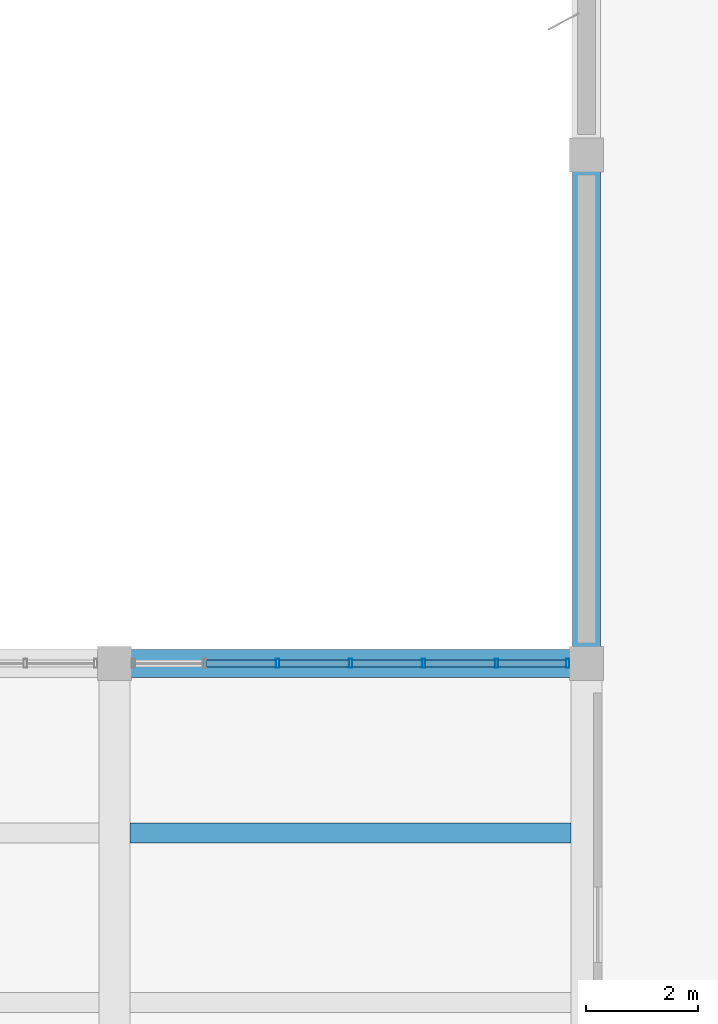
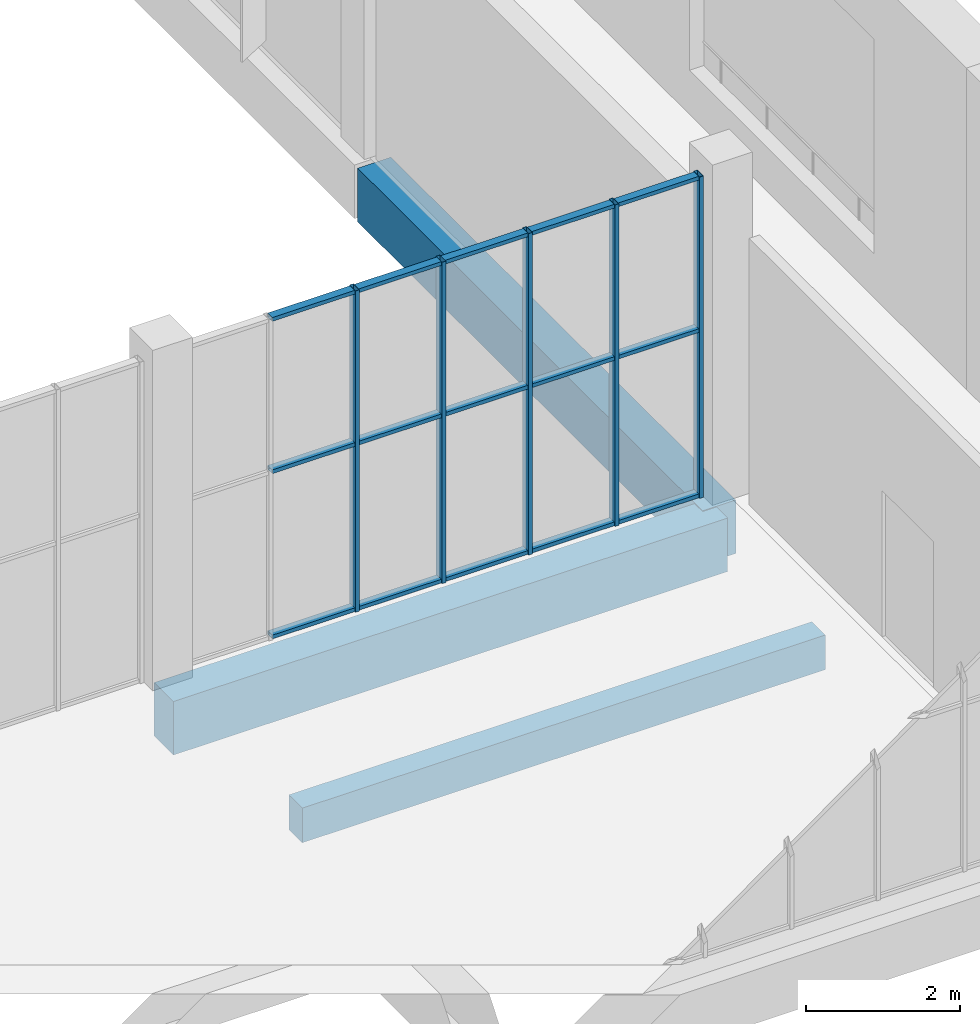
# One storey, part 42 of 132: 20 members, 3 beams, 1 element without a shape of its own.
"""IFC4 building model written with IfcOpenShell, lengths in metres."""

import ifcopenshell
import ifcopenshell.guid

model = None  # the IFC model being written
_history = None  # IfcOwnerHistory: only IFC2X3 demands one
_inside = {}  # id of a spatial element -> (the spatial element, [elements in it])
_under = {}  # id of a project, library or spatial element -> (it, [spatial elements below it])
_declared = {}  # id of a project -> (the project, [libraries it declares])
_typed = {}  # id of a type object -> (the type object, [elements of that type])
_made_of = {}  # id of a material, layer set ... -> (it, [elements and type objects made of it])


def new_model(schema):
    """Start an empty IFC model of exactly this schema.

    Asked for "IFC4X3", IfcOpenShell would pick the latest addendum, in which some entities
    have other attributes; the version numbers below select the first issue.
    IFC2X3 requires an IfcOwnerHistory on every rooted entity: one is made here for all.
    """
    global model, _history
    if schema == "IFC4X3":
        model = ifcopenshell.file(schema_version=(4, 3, 0, 0))
    else:
        model = ifcopenshell.file(schema=schema)
    _inside.clear()
    _under.clear()
    _declared.clear()
    _typed.clear()
    _made_of.clear()
    _history = None
    if model.schema == "IFC2X3":
        org = make("IfcOrganization", Name="unknown")
        user = make(
            "IfcPersonAndOrganization",
            ThePerson=make("IfcPerson", FamilyName="unknown"),
            TheOrganization=org,
        )
        app = make(
            "IfcApplication",
            ApplicationDeveloper=org,
            Version="unknown",
            ApplicationFullName="unknown",
            ApplicationIdentifier="unknown",
        )
        _history = make(
            "IfcOwnerHistory",
            OwningUser=user,
            OwningApplication=app,
            ChangeAction="ADDED",
            CreationDate=0,
        )
    return model


def make(cls, **values):
    """One entity of the class cls with the attributes given. An attribute that is None is left unset."""
    return model.create_entity(
        cls, **{name: value for name, value in values.items() if value is not None}
    )


def rooted(cls, **values):
    """An entity with a GlobalId (a new one), such as an element, a storey or a relation."""
    return make(cls, GlobalId=ifcopenshell.guid.new(), OwnerHistory=_history, **values)


def si_unit(unit_type, name, prefix=None):
    """IfcSIUnit, for example si_unit("LENGTHUNIT", "METRE", prefix="MILLI")."""
    return make("IfcSIUnit", UnitType=unit_type, Prefix=prefix, Name=name)


def assignment(units):
    """IfcUnitAssignment: the units of a project."""
    return None if units is None else make("IfcUnitAssignment", Units=units)


def point(xyz):
    """IfcCartesianPoint."""
    return None if xyz is None else make("IfcCartesianPoint", Coordinates=xyz)


def direction(xyz):
    """IfcDirection."""
    return None if xyz is None else make("IfcDirection", DirectionRatios=xyz)


def frame(location, z_axis=None, x_axis=None):
    """IfcAxis2Placement3D, a coordinate frame: its origin and axes. An axis left out is left unset."""
    return make(
        "IfcAxis2Placement3D",
        Location=point(location),
        Axis=direction(z_axis),
        RefDirection=direction(x_axis),
    )


def frame_2d(location, x_axis=None):
    """IfcAxis2Placement2D, a coordinate frame in the plane: its origin and x axis."""
    return make(
        "IfcAxis2Placement2D", Location=point(location), RefDirection=direction(x_axis)
    )


def origin():
    """The frame at (0, 0, 0) with its axes left unset."""
    return frame((0.0, 0.0, 0.0))


def origin_2d():
    """The frame at (0, 0) in the plane with its x axis left unset."""
    return frame_2d((0.0, 0.0))


def place(relative_to, where):
    """IfcLocalPlacement: puts the frame where relative to a parent placement (None: the world)."""
    return make(
        "IfcLocalPlacement", PlacementRelTo=relative_to, RelativePlacement=where
    )


def context(
    kind, dimensions, precision=None, world=None, true_north=None, identifier=None
):
    """IfcGeometricRepresentationContext, for example the 3D "Model" context."""
    return make(
        "IfcGeometricRepresentationContext",
        ContextIdentifier=identifier,
        ContextType=kind,
        CoordinateSpaceDimension=dimensions,
        Precision=precision,
        WorldCoordinateSystem=world,
        TrueNorth=true_north,
    )


def subcontext(parent, identifier, kind, view, scale=None):
    """IfcGeometricRepresentationSubContext, for example "Body" below "Model"."""
    return make(
        "IfcGeometricRepresentationSubContext",
        ContextIdentifier=identifier,
        ContextType=kind,
        ParentContext=parent,
        TargetScale=scale,
        TargetView=view,
    )


def project(units=None, contexts=None):
    """IfcProject with its units and contexts."""
    return rooted(
        "IfcProject",
        Name="project",
        RepresentationContexts=contexts,
        UnitsInContext=assignment(units),
    )


def spatial(cls, under=None, at=None, **own):
    """A site, building, storey or space (cls), placed at a placement, below another one or the project."""
    s = rooted(cls, ObjectPlacement=at, **own)
    if under is not None:
        _under.setdefault(under.id(), (under, []))[1].append(s)
    return s


def profile(cls, at=None, kind="AREA", **sizes):
    """A parametric profile (cls). Its sizes go by their IFC names, for example OverallWidth=200.0."""
    return make(cls, ProfileType=kind, Position=at, **sizes)


def rectangle(**sizes):
    """IfcRectangleProfileDef."""
    return profile("IfcRectangleProfileDef", **sizes)


def hollow_rectangle(**sizes):
    """IfcRectangleHollowProfileDef."""
    return profile("IfcRectangleHollowProfileDef", **sizes)


def extrude(swept, where, along, depth):
    """IfcExtrudedAreaSolid: the profile swept, set in the frame where, extruded along a direction by depth."""
    return make(
        "IfcExtrudedAreaSolid",
        SweptArea=swept,
        Position=where,
        ExtrudedDirection=direction(along),
        Depth=depth,
    )


def shape(context_of_items, identifier, shape_type, items):
    """IfcShapeRepresentation: the items that make up one representation, for example the "Body"."""
    return make(
        "IfcShapeRepresentation",
        ContextOfItems=context_of_items,
        RepresentationIdentifier=identifier,
        RepresentationType=shape_type,
        Items=items,
    )


def material(Name=None, Category=None):
    """IfcMaterial."""
    return make("IfcMaterial", Name=Name, Category=Category)


def material_profile(
    of_material, cross_section, Name=None, Category=None, Priority=None
):
    """IfcMaterialProfile: a cross section and its material."""
    return make(
        "IfcMaterialProfile",
        Name=Name,
        Material=of_material,
        Profile=cross_section,
        Priority=Priority,
        Category=Category,
    )


def profile_set(profiles, Name=None, composite=None):
    """IfcMaterialProfileSet."""
    return make(
        "IfcMaterialProfileSet",
        Name=Name,
        MaterialProfiles=profiles,
        CompositeProfile=composite,
    )


def made_of(thing, what):
    """Note that an element or type object is made of a material, layer set ...; save() writes the relation."""
    if what is not None:
        _made_of.setdefault(what.id(), (what, []))[1].append(thing)
    return thing


def type_object(cls, material=None, **own):
    """A type object (cls), such as IfcWallType, which elements share."""
    return made_of(rooted(cls, **own), material)


def element(
    cls,
    number,
    at=None,
    inside=None,
    cuts=None,
    type_object=None,
    material=None,
    context=None,
    identifier="Body",
    shape_type=None,
    held_by="IfcProductDefinitionShape",
    body=None,
    shapes=None,
    **own,
):
    """One element of the class cls, such as IfcWall. Its Tag is "e" and its number.

    at: its placement. inside: the storey or other place that contains it. cuts: it is an
    opening in that element (IfcRelVoidsElement). A single representation is given by context,
    identifier, shape_type and body (its items); several are given by shapes. held_by: the class
    of the entity that holds the representations. save() writes the other relations.
    """
    e = rooted(cls, Tag="e%d" % number, ObjectPlacement=at, **own)
    if body is not None:
        shapes = [shape(context, identifier, shape_type, body)]
    if shapes is not None:
        e.Representation = make(held_by, Representations=shapes)
    if inside is not None:
        _inside.setdefault(inside.id(), (inside, []))[1].append(e)
    if cuts is not None:
        rooted(
            "IfcRelVoidsElement", RelatingBuildingElement=cuts, RelatedOpeningElement=e
        )
    if type_object is not None:
        _typed.setdefault(type_object.id(), (type_object, []))[1].append(e)
    return made_of(e, material)


def aggregate(whole, parts):
    """IfcRelAggregates: a whole, such as a stair, and the parts it consists of."""
    return rooted("IfcRelAggregates", RelatingObject=whole, RelatedObjects=parts)


def save(model, path):
    """Write the relations noted so far, then the file.

    IfcRelAggregates (storeys below a building ...), IfcRelContainedInSpatialStructure (elements
    in a storey), IfcRelDefinesByType, IfcRelAssociatesMaterial and IfcRelDeclares: one each for
    every whole, place, type object, material and project.
    """
    for whole, parts in _under.values():
        aggregate(whole, parts)
    for where, things in _inside.values():
        rooted(
            "IfcRelContainedInSpatialStructure",
            RelatedElements=things,
            RelatingStructure=where,
        )
    for kind, things in _typed.values():
        rooted("IfcRelDefinesByType", RelatedObjects=things, RelatingType=kind)
    for what, things in _made_of.values():
        rooted("IfcRelAssociatesMaterial", RelatedObjects=things, RelatingMaterial=what)
    for by, libraries in _declared.values():
        rooted("IfcRelDeclares", RelatingContext=by, RelatedDefinitions=libraries)
    model.write(path)


model = new_model("IFC4")

# Units and contexts
model_context = context("Model", 3, precision=1e-05, world=origin(), true_north=direction((0.0, 1.0)))
body_context = subcontext(model_context, "Body", "Model", "MODEL_VIEW")
ifc_project = project(units=[si_unit("LENGTHUNIT", "METRE"), si_unit("AREAUNIT", "SQUARE_METRE"), si_unit("VOLUMEUNIT", "CUBIC_METRE"), si_unit("PLANEANGLEUNIT", "RADIAN"), si_unit("MASSUNIT", "GRAM", prefix="KILO")], contexts=[model_context])

# Site, building, storey
site_placement = place(None, origin())
site = spatial("IfcSite", under=ifc_project, at=site_placement, CompositionType="ELEMENT")
building_placement = place(site_placement, origin())
building = spatial("IfcBuilding", under=site, at=building_placement, Name="Khurvash Pelagic Aquarium", CompositionType="ELEMENT")
storey_placement = place(building_placement, frame((0.0, 0.0, 5.39990234375)))
storey = spatial("IfcBuildingStorey", under=building, at=storey_placement, Name="L01", CompositionType="ELEMENT", Elevation=5.39990234375)

# Curtain wall, members
ifc_material_1 = material(Name="Anodised aluminium and low-E laminated glass", Category="aluminium")
curtain_wall_type = type_object("IfcCurtainWallType", Name="CW-05", PredefinedType="USERDEFINED", material=ifc_material_1)
curtain_wall_placement = place(storey_placement, origin())
curtain_wall = element("IfcCurtainWall", 1, at=curtain_wall_placement, inside=storey, type_object=curtain_wall_type, Name="L01 Facade Unitised Curtain Wall CW-05 0144", ObjectType="UNITISED CURTAIN WALL", PredefinedType="USERDEFINED")
ifc_material_2 = material(Name="Extruded aluminium AW-6063-T6", Category="aluminium")
ifc_material_profile_1 = material_profile(ifc_material_2, hollow_rectangle(XDim=0.06005859375, YDim=0.159912109375, WallThickness=0.00390625, at=origin_2d()), Name="CWM60X160X4")
ifc_profile_set_1 = profile_set([ifc_material_profile_1], Name="Extruded aluminium AW-6063-T6")
member_type_1 = type_object("IfcMemberType", Name="CM-02", PredefinedType="MULLION", material=ifc_profile_set_1)
member_1_placement = place(storey_placement, frame((125.6650390625, 29.75, 0.0), z_axis=(0.0, 0.0, 1.0), x_axis=(-1.0, 0.0, 0.0)))
member_1 = element("IfcMember", 2, at=member_1_placement, type_object=member_type_1, Name="CW-05 mullion 1", PredefinedType="MULLION", context=body_context, shape_type="SweptSolid", body=[
    extrude(hollow_rectangle(XDim=0.06005859375, YDim=0.159912109375, WallThickness=0.00390625, at=origin_2d()), origin(), (0.0, 0.0, 1.0), 5.10009765625),
])
member_2_placement = place(storey_placement, frame((124.396728515625, 29.75, 0.0), z_axis=(0.0, 0.0, 1.0), x_axis=(-1.0, 0.0, 0.0)))
member_2 = element("IfcMember", 3, at=member_2_placement, type_object=member_type_1, Name="CW-05 mullion 2", PredefinedType="MULLION", context=body_context, shape_type="SweptSolid", body=[
    extrude(hollow_rectangle(XDim=0.06005859375, YDim=0.159912109375, WallThickness=0.00390625, at=origin_2d()), origin(), (0.0, 0.0, 1.0), 5.10009765625),
])
member_3_placement = place(storey_placement, frame((123.098388671875, 29.75, 0.0), z_axis=(0.0, 0.0, 1.0), x_axis=(-1.0, 0.0, 0.0)))
member_3 = element("IfcMember", 4, at=member_3_placement, type_object=member_type_1, Name="CW-05 mullion 3", PredefinedType="MULLION", context=body_context, shape_type="SweptSolid", body=[
    extrude(hollow_rectangle(XDim=0.06005859375, YDim=0.159912109375, WallThickness=0.00390625, at=origin_2d()), origin(), (0.0, 0.0, 1.0), 5.10009765625),
])
member_4_placement = place(storey_placement, frame((121.800048828125, 29.75, 0.0), z_axis=(0.0, 0.0, 1.0), x_axis=(-1.0, 0.0, 0.0)))
member_4 = element("IfcMember", 5, at=member_4_placement, type_object=member_type_1, Name="CW-05 mullion 4", PredefinedType="MULLION", context=body_context, shape_type="SweptSolid", body=[
    extrude(hollow_rectangle(XDim=0.06005859375, YDim=0.159912109375, WallThickness=0.00390625, at=origin_2d()), origin(), (0.0, 0.0, 1.0), 5.10009765625),
])
member_5_placement = place(storey_placement, frame((120.501708984375, 29.75, 0.0), z_axis=(0.0, 0.0, 1.0), x_axis=(-1.0, 0.0, 0.0)))
member_5 = element("IfcMember", 6, at=member_5_placement, type_object=member_type_1, Name="CW-05 mullion 5", PredefinedType="MULLION", context=body_context, shape_type="SweptSolid", body=[
    extrude(hollow_rectangle(XDim=0.06005859375, YDim=0.159912109375, WallThickness=0.00390625, at=origin_2d()), origin(), (0.0, 0.0, 1.0), 5.10009765625),
])
ifc_material_profile_2 = material_profile(ifc_material_2, hollow_rectangle(XDim=0.1201171875, YDim=0.06005859375, WallThickness=0.00390625, at=origin_2d()), Name="CWT120X60X4")
ifc_profile_set_2 = profile_set([ifc_material_profile_2], Name="Extruded aluminium AW-6063-T6")
member_type_2 = type_object("IfcMemberType", Name="CT-02", PredefinedType="USERDEFINED", material=ifc_profile_set_2)
member_6_placement = place(storey_placement, frame((125.635009765625, 29.75, 0.030029296875), z_axis=(-1.0, 0.0, 0.0), x_axis=(0.0, -1.0, 0.0)))
member_6 = element("IfcMember", 7, at=member_6_placement, type_object=member_type_2, Name="CW-05 transom 1.1", ObjectType="TRANSOM", PredefinedType="USERDEFINED", context=body_context, shape_type="SweptSolid", body=[
    extrude(hollow_rectangle(XDim=0.1201171875, YDim=0.06005859375, WallThickness=0.00390625, at=origin_2d()), origin(), (0.0, 0.0, 1.0), 1.208251953125),
])
member_7_placement = place(storey_placement, frame((125.635009765625, 29.75, 2.652099609375), z_axis=(-1.0, 0.0, 0.0), x_axis=(0.0, -1.0, 0.0)))
member_7 = element("IfcMember", 8, at=member_7_placement, type_object=member_type_2, Name="CW-05 transom 1.2", ObjectType="TRANSOM", PredefinedType="USERDEFINED", context=body_context, shape_type="SweptSolid", body=[
    extrude(hollow_rectangle(XDim=0.1201171875, YDim=0.06005859375, WallThickness=0.00390625, at=origin_2d()), origin(), (0.0, 0.0, 1.0), 1.208251953125),
])
member_8_placement = place(storey_placement, frame((125.635009765625, 29.75, 5.070068359375), z_axis=(-1.0, 0.0, 0.0), x_axis=(0.0, -1.0, 0.0)))
member_8 = element("IfcMember", 9, at=member_8_placement, type_object=member_type_2, Name="CW-05 transom 1.3", ObjectType="TRANSOM", PredefinedType="USERDEFINED", context=body_context, shape_type="SweptSolid", body=[
    extrude(hollow_rectangle(XDim=0.1201171875, YDim=0.06005859375, WallThickness=0.00390625, at=origin_2d()), origin(), (0.0, 0.0, 1.0), 1.208251953125),
])
member_9_placement = place(storey_placement, frame((124.36669921875, 29.75, 0.030029296875), z_axis=(-1.0, 0.0, 0.0), x_axis=(0.0, -1.0, 0.0)))
member_9 = element("IfcMember", 10, at=member_9_placement, type_object=member_type_2, Name="CW-05 transom 2.1", ObjectType="TRANSOM", PredefinedType="USERDEFINED", context=body_context, shape_type="SweptSolid", body=[
    extrude(hollow_rectangle(XDim=0.1201171875, YDim=0.06005859375, WallThickness=0.00390625, at=origin_2d()), origin(), (0.0, 0.0, 1.0), 1.23828125),
])
member_10_placement = place(storey_placement, frame((124.36669921875, 29.75, 2.652099609375), z_axis=(-1.0, 0.0, 0.0), x_axis=(0.0, -1.0, 0.0)))
member_10 = element("IfcMember", 11, at=member_10_placement, type_object=member_type_2, Name="CW-05 transom 2.2", ObjectType="TRANSOM", PredefinedType="USERDEFINED", context=body_context, shape_type="SweptSolid", body=[
    extrude(hollow_rectangle(XDim=0.1201171875, YDim=0.06005859375, WallThickness=0.00390625, at=origin_2d()), origin(), (0.0, 0.0, 1.0), 1.23828125),
])
member_11_placement = place(storey_placement, frame((124.36669921875, 29.75, 5.070068359375), z_axis=(-1.0, 0.0, 0.0), x_axis=(0.0, -1.0, 0.0)))
member_11 = element("IfcMember", 12, at=member_11_placement, type_object=member_type_2, Name="CW-05 transom 2.3", ObjectType="TRANSOM", PredefinedType="USERDEFINED", context=body_context, shape_type="SweptSolid", body=[
    extrude(hollow_rectangle(XDim=0.1201171875, YDim=0.06005859375, WallThickness=0.00390625, at=origin_2d()), origin(), (0.0, 0.0, 1.0), 1.23828125),
])
member_12_placement = place(storey_placement, frame((123.068359375, 29.75, 0.030029296875), z_axis=(-1.0, 0.0, 0.0), x_axis=(0.0, -1.0, 0.0)))
member_12 = element("IfcMember", 13, at=member_12_placement, type_object=member_type_2, Name="CW-05 transom 3.1", ObjectType="TRANSOM", PredefinedType="USERDEFINED", context=body_context, shape_type="SweptSolid", body=[
    extrude(hollow_rectangle(XDim=0.1201171875, YDim=0.06005859375, WallThickness=0.00390625, at=origin_2d()), origin(), (0.0, 0.0, 1.0), 1.23828125),
])
member_13_placement = place(storey_placement, frame((123.068359375, 29.75, 2.652099609375), z_axis=(-1.0, 0.0, 0.0), x_axis=(0.0, -1.0, 0.0)))
member_13 = element("IfcMember", 14, at=member_13_placement, type_object=member_type_2, Name="CW-05 transom 3.2", ObjectType="TRANSOM", PredefinedType="USERDEFINED", context=body_context, shape_type="SweptSolid", body=[
    extrude(hollow_rectangle(XDim=0.1201171875, YDim=0.06005859375, WallThickness=0.00390625, at=origin_2d()), origin(), (0.0, 0.0, 1.0), 1.23828125),
])
member_14_placement = place(storey_placement, frame((123.068359375, 29.75, 5.070068359375), z_axis=(-1.0, 0.0, 0.0), x_axis=(0.0, -1.0, 0.0)))
member_14 = element("IfcMember", 15, at=member_14_placement, type_object=member_type_2, Name="CW-05 transom 3.3", ObjectType="TRANSOM", PredefinedType="USERDEFINED", context=body_context, shape_type="SweptSolid", body=[
    extrude(hollow_rectangle(XDim=0.1201171875, YDim=0.06005859375, WallThickness=0.00390625, at=origin_2d()), origin(), (0.0, 0.0, 1.0), 1.23828125),
])
member_15_placement = place(storey_placement, frame((121.77001953125, 29.75, 0.030029296875), z_axis=(-1.0, 0.0, 0.0), x_axis=(0.0, -1.0, 0.0)))
member_15 = element("IfcMember", 16, at=member_15_placement, type_object=member_type_2, Name="CW-05 transom 4.1", ObjectType="TRANSOM", PredefinedType="USERDEFINED", context=body_context, shape_type="SweptSolid", body=[
    extrude(hollow_rectangle(XDim=0.1201171875, YDim=0.06005859375, WallThickness=0.00390625, at=origin_2d()), origin(), (0.0, 0.0, 1.0), 1.23828125),
])
member_16_placement = place(storey_placement, frame((121.77001953125, 29.75, 2.652099609375), z_axis=(-1.0, 0.0, 0.0), x_axis=(0.0, -1.0, 0.0)))
member_16 = element("IfcMember", 17, at=member_16_placement, type_object=member_type_2, Name="CW-05 transom 4.2", ObjectType="TRANSOM", PredefinedType="USERDEFINED", context=body_context, shape_type="SweptSolid", body=[
    extrude(hollow_rectangle(XDim=0.1201171875, YDim=0.06005859375, WallThickness=0.00390625, at=origin_2d()), origin(), (0.0, 0.0, 1.0), 1.23828125),
])
member_17_placement = place(storey_placement, frame((121.77001953125, 29.75, 5.070068359375), z_axis=(-1.0, 0.0, 0.0), x_axis=(0.0, -1.0, 0.0)))
member_17 = element("IfcMember", 18, at=member_17_placement, type_object=member_type_2, Name="CW-05 transom 4.3", ObjectType="TRANSOM", PredefinedType="USERDEFINED", context=body_context, shape_type="SweptSolid", body=[
    extrude(hollow_rectangle(XDim=0.1201171875, YDim=0.06005859375, WallThickness=0.00390625, at=origin_2d()), origin(), (0.0, 0.0, 1.0), 1.23828125),
])
member_18_placement = place(storey_placement, frame((120.4716796875, 29.75, 0.030029296875), z_axis=(-1.0, 0.0, 0.0), x_axis=(0.0, -1.0, 0.0)))
member_18 = element("IfcMember", 19, at=member_18_placement, type_object=member_type_2, Name="CW-05 transom 5.1", ObjectType="TRANSOM", PredefinedType="USERDEFINED", context=body_context, shape_type="SweptSolid", body=[
    extrude(hollow_rectangle(XDim=0.1201171875, YDim=0.06005859375, WallThickness=0.00390625, at=origin_2d()), origin(), (0.0, 0.0, 1.0), 1.23828125),
])
member_19_placement = place(storey_placement, frame((120.4716796875, 29.75, 2.652099609375), z_axis=(-1.0, 0.0, 0.0), x_axis=(0.0, -1.0, 0.0)))
member_19 = element("IfcMember", 20, at=member_19_placement, type_object=member_type_2, Name="CW-05 transom 5.2", ObjectType="TRANSOM", PredefinedType="USERDEFINED", context=body_context, shape_type="SweptSolid", body=[
    extrude(hollow_rectangle(XDim=0.1201171875, YDim=0.06005859375, WallThickness=0.00390625, at=origin_2d()), origin(), (0.0, 0.0, 1.0), 1.23828125),
])
member_20_placement = place(storey_placement, frame((120.4716796875, 29.75, 5.070068359375), z_axis=(-1.0, 0.0, 0.0), x_axis=(0.0, -1.0, 0.0)))
member_20 = element("IfcMember", 21, at=member_20_placement, type_object=member_type_2, Name="CW-05 transom 5.3", ObjectType="TRANSOM", PredefinedType="USERDEFINED", context=body_context, shape_type="SweptSolid", body=[
    extrude(hollow_rectangle(XDim=0.1201171875, YDim=0.06005859375, WallThickness=0.00390625, at=origin_2d()), origin(), (0.0, 0.0, 1.0), 1.23828125),
])
aggregate(curtain_wall, [member_1, member_2, member_3, member_4, member_5, member_6, member_7, member_8, member_9, member_10, member_11, member_12, member_13, member_14, member_15, member_16, member_17, member_18, member_19, member_20])

# Beams
ifc_material_3 = material(Name="Concrete C35/45", Category="concrete")
ifc_material_profile_3 = material_profile(ifc_material_3, rectangle(XDim=0.35009765625, YDim=0.550048828125, at=origin_2d()), Name="RC350X550")
ifc_profile_set_3 = profile_set([ifc_material_profile_3], Name="Concrete C35/45")
beam_type_1 = type_object("IfcBeamType", Name="JS-01", PredefinedType="JOIST", material=ifc_profile_set_3)
beam_1_placement = place(storey_placement, frame((117.875, 26.73291015625, -0.5849609375), z_axis=(1.0, 0.0, 0.0), x_axis=(0.0, 1.0, 0.0)))
element("IfcBeam", 22, at=beam_1_placement, inside=storey, type_object=beam_type_1, Name="L01 Floor Joist JS-01 00559", PredefinedType="JOIST", context=body_context, shape_type="SweptSolid", body=[
    extrude(rectangle(XDim=0.35009765625, YDim=0.550048828125, at=origin_2d()), origin(), (0.0, 0.0, 1.0), 7.85009765625),
])
ifc_material_4 = material(Name="Concrete C40/50", Category="concrete")
ifc_material_profile_4 = material_profile(ifc_material_4, rectangle(XDim=0.5, YDim=0.85009765625, at=origin_2d()), Name="RC500X850")
ifc_profile_set_4 = profile_set([ifc_material_profile_4], Name="Concrete C40/50")
beam_type_2 = type_object("IfcBeamType", Name="SEB-03", PredefinedType="SPANDREL", material=ifc_profile_set_4)
beam_2_placement = place(storey_placement, frame((117.639892578125, 29.75, -0.744873046875), z_axis=(1.0, 0.0, 0.0), x_axis=(0.0, 1.0, 0.0)))
element("IfcBeam", 23, at=beam_2_placement, inside=storey, type_object=beam_type_2, Name="L01 Primary Girder SEB-03 00288", PredefinedType="SPANDREL", context=body_context, shape_type="SweptSolid", body=[
    extrude(rectangle(XDim=0.5, YDim=0.85009765625, at=origin_2d()), origin(), (0.0, 0.0, 1.0), 8.320068359375),
])
beam_3_placement = place(storey_placement, frame((126.0, 29.7900390625, -0.73486328125), z_axis=(0.0, 1.0, 0.0), x_axis=(-1.0, 0.0, 0.0)))
element("IfcBeam", 24, at=beam_3_placement, inside=storey, type_object=beam_type_2, Name="L01 Primary Girder SEB-03 00429", PredefinedType="SPANDREL", context=body_context, shape_type="SweptSolid", body=[
    extrude(rectangle(XDim=0.5, YDim=0.85009765625, at=origin_2d()), origin(), (0.0, 0.0, 1.0), 8.969970703125),
])

save(model, "model.ifc")
